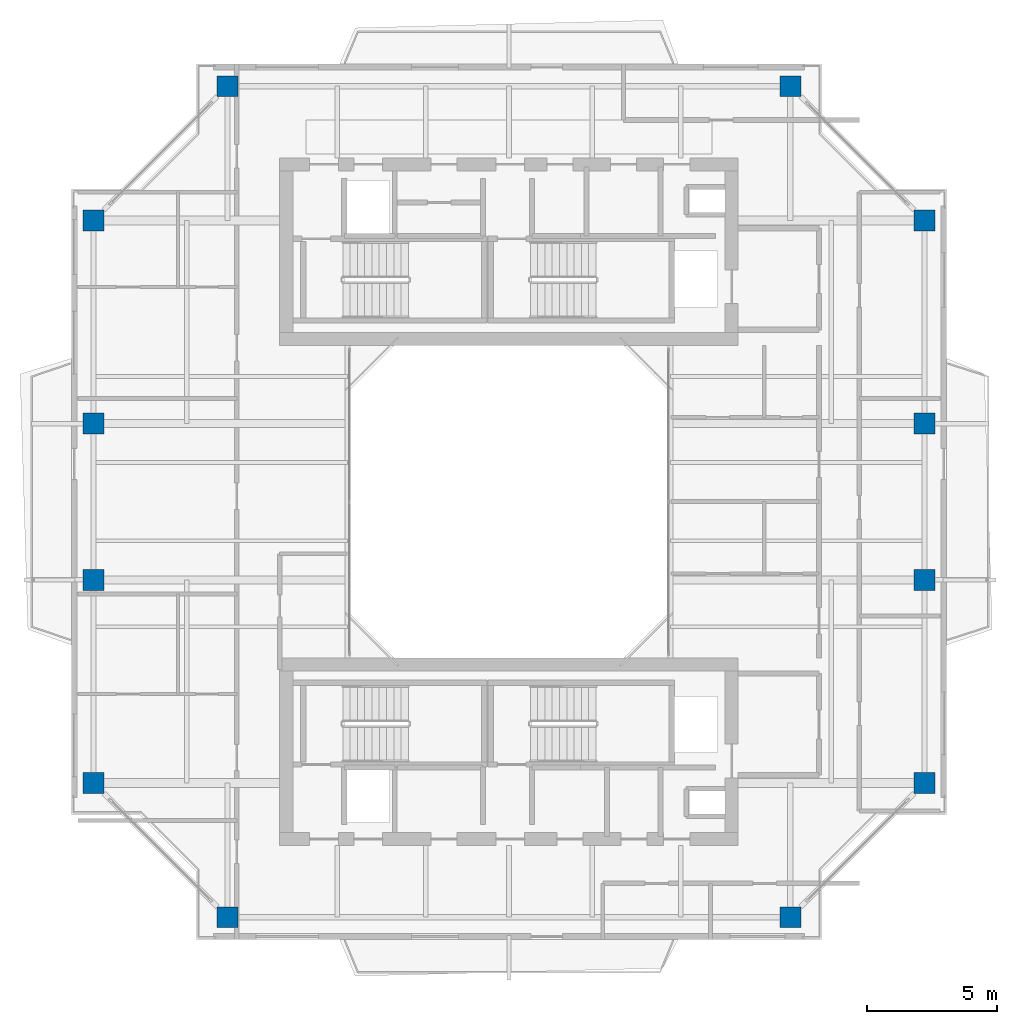
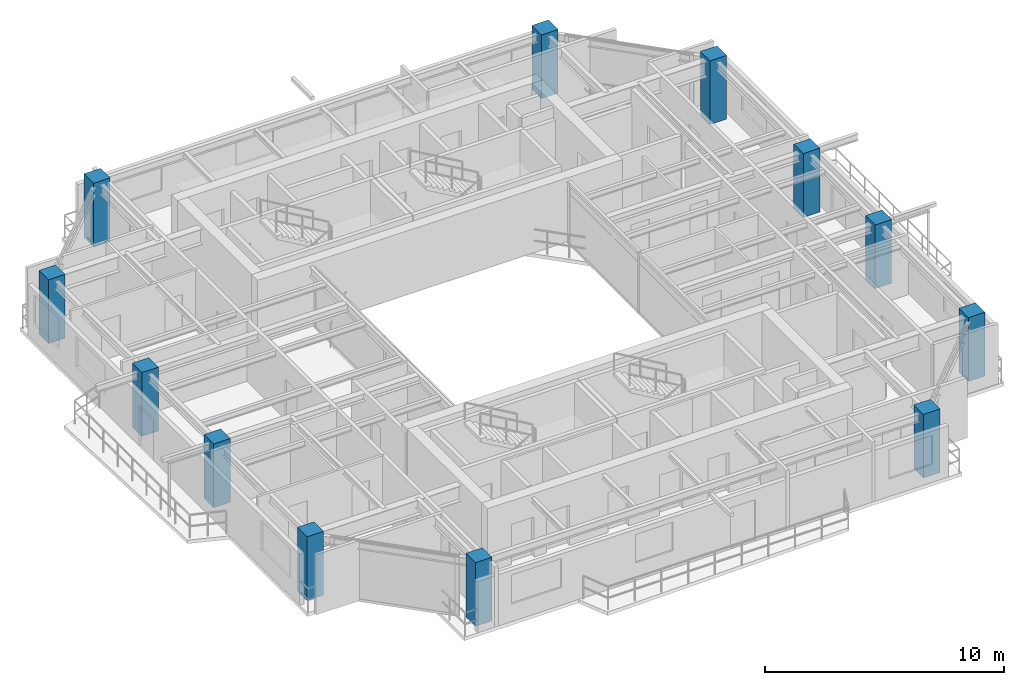
# One storey, part 1 of 15: 12 columns.
"""IFC4 building model written with IfcOpenShell, lengths in metres."""

from ifc_helpers import new_model, si_unit, direction, frame, origin, origin_2d, place, context, subcontext, project, spatial, rectangle, extrude, source, transform, mapped, material, material_profile, profile_set, type_object, element, save


model = new_model("IFC4")

# Units and contexts
model_context = context("Model", 3, precision=1e-05, world=origin(), true_north=direction((0.0, 1.0)))
body_context = subcontext(model_context, "Body", "Model", "MODEL_VIEW")
ifc_project = project(units=[si_unit("LENGTHUNIT", "METRE"), si_unit("AREAUNIT", "SQUARE_METRE"), si_unit("VOLUMEUNIT", "CUBIC_METRE"), si_unit("PLANEANGLEUNIT", "RADIAN"), si_unit("MASSUNIT", "GRAM", prefix="KILO"), si_unit("THERMODYNAMICTEMPERATUREUNIT", "KELVIN"), si_unit("POWERUNIT", "WATT")], contexts=[model_context])

# Site, building, storey
site_placement = place(None, origin())
site = spatial("IfcSite", under=ifc_project, at=site_placement, CompositionType="ELEMENT")
building_placement = place(site_placement, origin())
building = spatial("IfcBuilding", under=site, at=building_placement, Name="Qiaomeng Ring Towers", CompositionType="ELEMENT")
storey_placement = place(building_placement, frame((0.0, 0.0, 200.25)))
storey = spatial("IfcBuildingStorey", under=building, at=storey_placement, Name="L58", CompositionType="ELEMENT", Elevation=200.25)

# Columns
ifc_material = material(Name="Concrete C40", Category="concrete")
ifc_material_profile = material_profile(ifc_material, rectangle(XDim=0.800048828125, YDim=0.800048828125, at=origin_2d()), Name="RC COL 800x800")
ifc_profile_set = profile_set([ifc_material_profile], Name="Concrete C40")
column_type = type_object("IfcColumnType", Name="STR-COL-800-C40", PredefinedType="COLUMN", material=ifc_profile_set)
shared_shape = source(origin(), body_context, "Body", "SweptSolid", [
    extrude(rectangle(XDim=0.800048828125, YDim=0.800048828125, at=origin_2d()), origin(), (0.0, 0.0, 1.0), 3.25),
])
for number, where, z_axis, x_axis, name in (
    (1, (8.199951171875, 7.050048828125, 0.0), (0.0, 0.0, 1.0), (1.0, 0.0, 0.0), "L58 column STR-COL-L58-T1-S1"),
    (2, (29.800048828125, 7.050048828125, 0.0), (0.0, 0.0, 1.0), (1.0, 0.0, 0.0), "L58 column STR-COL-L58-T1-S2"),
    (3, (34.949951171875, 12.199951171875, 0.0), (0.0, 0.0, 1.0), (1.0, 0.0, 0.0), "L58 column STR-COL-L58-T1-E1"),
    (4, (34.949951171875, 20.0, 0.0), (0.0, 0.0, 1.0), (1.0, 0.0, 0.0), "L58 column STR-COL-L58-T1-E2"),
    (5, (34.949951171875, 26.0, 0.0), (0.0, 0.0, 1.0), (1.0, 0.0, 0.0), "L58 column STR-COL-L58-T1-E3"),
    (6, (34.949951171875, 33.800048828125, 0.0), (0.0, 0.0, 1.0), (1.0, 0.0, 0.0), "L58 column STR-COL-L58-T1-E4"),
    (7, (29.800048828125, 38.949951171875, 0.0), (0.0, 0.0, 1.0), (1.0, 0.0, 0.0), "L58 column STR-COL-L58-T1-N2"),
    (8, (8.199951171875, 38.949951171875, 0.0), (0.0, 0.0, 1.0), (1.0, 0.0, 0.0), "L58 column STR-COL-L58-T1-N1"),
    (9, (3.050048828125, 33.800048828125, 0.0), (0.0, 0.0, 1.0), (1.0, 0.0, 0.0), "L58 column STR-COL-L58-T1-W4"),
    (10, (3.050048828125, 26.0, 0.0), (0.0, 0.0, 1.0), (1.0, 0.0, 0.0), "L58 column STR-COL-L58-T1-W3"),
    (11, (3.050048828125, 20.0, 0.0), (0.0, 0.0, 1.0), (1.0, 0.0, 0.0), "L58 column STR-COL-L58-T1-W2"),
    (12, (3.050048828125, 12.199951171875, 0.0), (0.0, 0.0, 1.0), (1.0, 0.0, 0.0), "L58 column STR-COL-L58-T1-W1"),
):
    element("IfcColumn", number, at=place(storey_placement, frame(where, z_axis=z_axis, x_axis=x_axis)), inside=storey, type_object=column_type, Name=name, PredefinedType="COLUMN", context=body_context, shape_type="MappedRepresentation", body=[
        mapped(shared_shape, transform((0.0, 0.0, 0.0), x_axis=(1.0, 0.0, 0.0), y_axis=(0.0, 1.0, 0.0), z_axis=(0.0, 0.0, 1.0), scale=1.0)),
    ])

save(model, "model.ifc")
